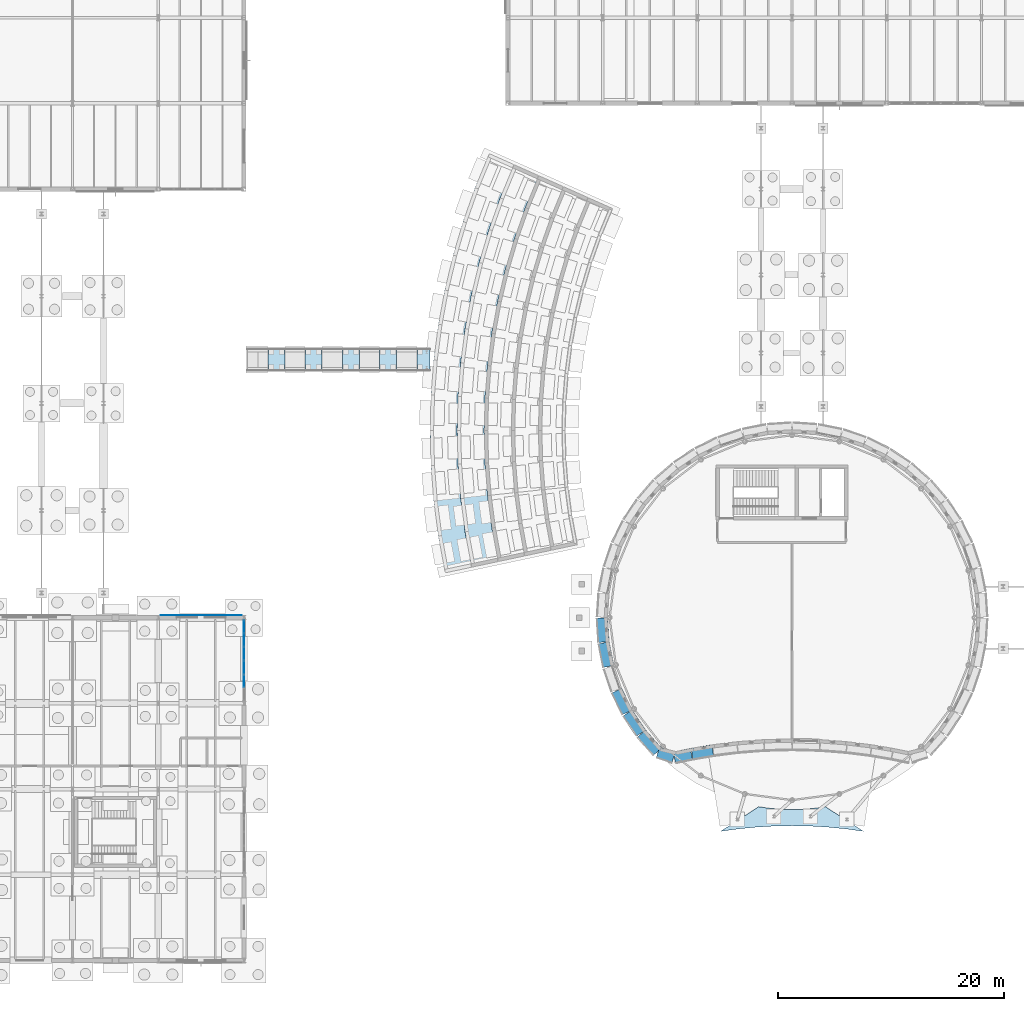
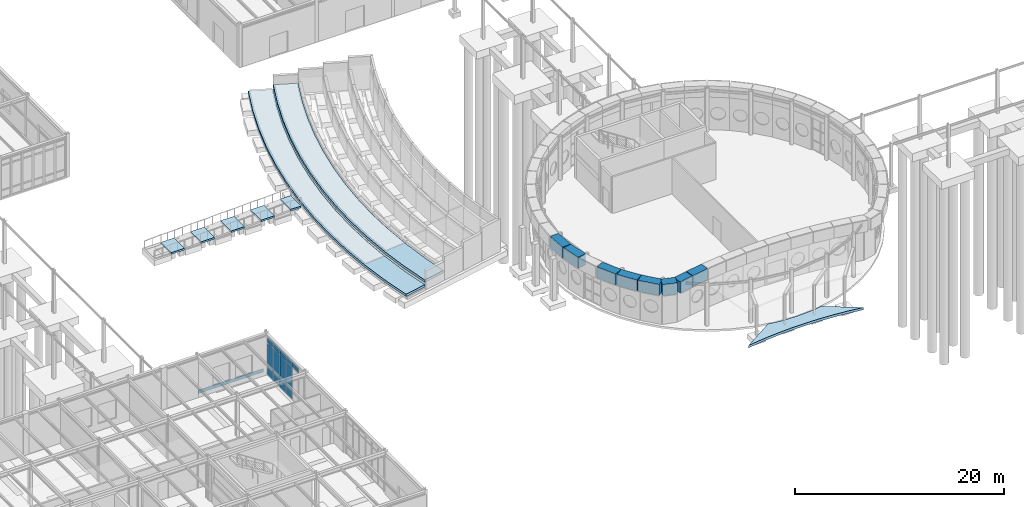
# One storey, part 73 of 109: 22 plates, 8 slabs, 1 element without a shape of its own.
"""IFC4 building model written with IfcOpenShell, lengths in metres."""

from ifc_helpers import new_model, si_unit, direction, frame, origin, origin_2d, place, context, subcontext, project, spatial, polyline, rectangle, outline, extrude, material, layer, layer_set, type_object, element, aggregate, save


model = new_model("IFC4")

# Units and contexts
model_context = context("Model", 3, precision=1e-05, world=origin(), true_north=direction((0.0, 1.0)))
body_context = subcontext(model_context, "Body", "Model", "MODEL_VIEW")
ifc_project = project(units=[si_unit("LENGTHUNIT", "METRE"), si_unit("AREAUNIT", "SQUARE_METRE"), si_unit("VOLUMEUNIT", "CUBIC_METRE"), si_unit("PLANEANGLEUNIT", "RADIAN"), si_unit("MASSUNIT", "GRAM", prefix="KILO")], contexts=[model_context])

# Site, building, storey
site_placement = place(None, origin())
site = spatial("IfcSite", under=ifc_project, at=site_placement, CompositionType="ELEMENT")
building_placement = place(site_placement, origin())
building = spatial("IfcBuilding", under=site, at=building_placement, Name="Montecoro Central Library", CompositionType="ELEMENT")
storey_placement = place(building_placement, origin())
storey = spatial("IfcBuildingStorey", under=building, at=storey_placement, Name="L00", CompositionType="ELEMENT", Elevation=0.0)

# Curtain wall, plates
ifc_material_1 = material(Name="Bronze-anodised aluminium and low-E glazing", Category="aluminium")
ifc_layer_1 = layer(ifc_material_1, 0.159912109375)
ifc_layer_set_1 = layer_set([ifc_layer_1], Name="Bronze-anodised aluminium and low-E glazing")
curtain_wall_type = type_object("IfcCurtainWallType", Name="CWT-027", PredefinedType="NOTDEFINED", material=ifc_layer_set_1)
curtain_wall_placement = place(storey_placement, origin())
curtain_wall = element("IfcCurtainWall", 1, at=curtain_wall_placement, inside=storey, type_object=curtain_wall_type, Name="V3-L00-CW-E3", PredefinedType="NOTDEFINED")
ifc_material_2 = material(Name="Laminated low-E double glazing", Category="glass")
ifc_layer_2 = layer(ifc_material_2, 0.0380859375)
ifc_layer_set_2 = layer_set([ifc_layer_2], Name="Laminated low-E double glazing")
plate_type_1 = type_object("IfcPlateType", Name="CWP-GLZ-04", PredefinedType="CURTAIN_PANEL", material=ifc_layer_set_2)
plate_1_placement = place(storey_placement, frame((43.0, 29.7890625, 3.8349609375), z_axis=(0.0, 0.0, 1.0), x_axis=(0.0, 1.0, 0.0)))
plate_1 = element("IfcPlate", 2, at=plate_1_placement, type_object=plate_type_1, Name="CW-027 panel 2.3", PredefinedType="CURTAIN_PANEL", context=body_context, shape_type="SweptSolid", body=[
    extrude(rectangle(XDim=1.137451171875, YDim=0.0380859375, at=origin_2d()), origin(), (0.0, 0.0, 1.0), 0.594970703125),
])
plate_2_placement = place(storey_placement, frame((43.0, 30.996337890625, 0.070068359375), z_axis=(0.0, 0.0, 1.0), x_axis=(0.0, 1.0, 0.0)))
plate_2 = element("IfcPlate", 3, at=plate_2_placement, type_object=plate_type_1, Name="CW-027 panel 3.1", PredefinedType="CURTAIN_PANEL", context=body_context, shape_type="SweptSolid", body=[
    extrude(rectangle(XDim=1.137451171875, YDim=0.0380859375, at=origin_2d()), origin(), (0.0, 0.0, 1.0), 0.794921875),
])
plate_3_placement = place(storey_placement, frame((43.0, 30.996337890625, 0.93505859375), z_axis=(0.0, 0.0, 1.0), x_axis=(0.0, 1.0, 0.0)))
plate_3 = element("IfcPlate", 4, at=plate_3_placement, type_object=plate_type_1, Name="CW-027 panel 3.2", PredefinedType="CURTAIN_PANEL", context=body_context, shape_type="SweptSolid", body=[
    extrude(rectangle(XDim=1.137451171875, YDim=0.0380859375, at=origin_2d()), origin(), (0.0, 0.0, 1.0), 2.830078125),
])
plate_4_placement = place(storey_placement, frame((43.0, 30.996337890625, 3.8349609375), z_axis=(0.0, 0.0, 1.0), x_axis=(0.0, 1.0, 0.0)))
plate_4 = element("IfcPlate", 5, at=plate_4_placement, type_object=plate_type_1, Name="CW-027 panel 3.3", PredefinedType="CURTAIN_PANEL", context=body_context, shape_type="SweptSolid", body=[
    extrude(rectangle(XDim=1.137451171875, YDim=0.0380859375, at=origin_2d()), origin(), (0.0, 0.0, 1.0), 0.594970703125),
])
plate_5_placement = place(storey_placement, frame((43.0, 32.20361328125, 0.070068359375), z_axis=(0.0, 0.0, 1.0), x_axis=(0.0, 1.0, 0.0)))
plate_5 = element("IfcPlate", 6, at=plate_5_placement, type_object=plate_type_1, Name="CW-027 panel 4.1", PredefinedType="CURTAIN_PANEL", context=body_context, shape_type="SweptSolid", body=[
    extrude(rectangle(XDim=1.137451171875, YDim=0.0380859375, at=origin_2d()), origin(), (0.0, 0.0, 1.0), 0.794921875),
])
plate_6_placement = place(storey_placement, frame((43.0, 32.20361328125, 0.93505859375), z_axis=(0.0, 0.0, 1.0), x_axis=(0.0, 1.0, 0.0)))
plate_6 = element("IfcPlate", 7, at=plate_6_placement, type_object=plate_type_1, Name="CW-027 panel 4.2", PredefinedType="CURTAIN_PANEL", context=body_context, shape_type="SweptSolid", body=[
    extrude(rectangle(XDim=1.137451171875, YDim=0.0380859375, at=origin_2d()), origin(), (0.0, 0.0, 1.0), 2.830078125),
])
plate_7_placement = place(storey_placement, frame((43.0, 32.20361328125, 3.8349609375), z_axis=(0.0, 0.0, 1.0), x_axis=(0.0, 1.0, 0.0)))
plate_7 = element("IfcPlate", 8, at=plate_7_placement, type_object=plate_type_1, Name="CW-027 panel 4.3", PredefinedType="CURTAIN_PANEL", context=body_context, shape_type="SweptSolid", body=[
    extrude(rectangle(XDim=1.137451171875, YDim=0.0380859375, at=origin_2d()), origin(), (0.0, 0.0, 1.0), 0.594970703125),
])
plate_8_placement = place(storey_placement, frame((43.0, 33.410888671875, 0.070068359375), z_axis=(0.0, 0.0, 1.0), x_axis=(0.0, 1.0, 0.0)))
plate_8 = element("IfcPlate", 9, at=plate_8_placement, type_object=plate_type_1, Name="CW-027 panel 5.1", PredefinedType="CURTAIN_PANEL", context=body_context, shape_type="SweptSolid", body=[
    extrude(rectangle(XDim=1.137451171875, YDim=0.0380859375, at=origin_2d()), origin(), (0.0, 0.0, 1.0), 0.794921875),
])
plate_9_placement = place(storey_placement, frame((43.0, 33.410888671875, 0.93505859375), z_axis=(0.0, 0.0, 1.0), x_axis=(0.0, 1.0, 0.0)))
plate_9 = element("IfcPlate", 10, at=plate_9_placement, type_object=plate_type_1, Name="CW-027 panel 5.2", PredefinedType="CURTAIN_PANEL", context=body_context, shape_type="SweptSolid", body=[
    extrude(rectangle(XDim=1.137451171875, YDim=0.0380859375, at=origin_2d()), origin(), (0.0, 0.0, 1.0), 2.830078125),
])
plate_10_placement = place(storey_placement, frame((43.0, 33.410888671875, 3.8349609375), z_axis=(0.0, 0.0, 1.0), x_axis=(0.0, 1.0, 0.0)))
plate_10 = element("IfcPlate", 11, at=plate_10_placement, type_object=plate_type_1, Name="CW-027 panel 5.3", PredefinedType="CURTAIN_PANEL", context=body_context, shape_type="SweptSolid", body=[
    extrude(rectangle(XDim=1.137451171875, YDim=0.0380859375, at=origin_2d()), origin(), (0.0, 0.0, 1.0), 0.594970703125),
])
plate_11_placement = place(storey_placement, frame((43.0, 34.600830078125, 0.070068359375), z_axis=(0.0, 0.0, 1.0), x_axis=(0.0, 1.0, 0.0)))
plate_11 = element("IfcPlate", 12, at=plate_11_placement, type_object=plate_type_1, Name="CW-027 panel 6.1", PredefinedType="CURTAIN_PANEL", context=body_context, shape_type="SweptSolid", body=[
    extrude(rectangle(XDim=1.102294921875, YDim=0.0380859375, at=origin_2d()), origin(), (0.0, 0.0, 1.0), 0.794921875),
])
plate_12_placement = place(storey_placement, frame((43.0, 34.600830078125, 0.93505859375), z_axis=(0.0, 0.0, 1.0), x_axis=(0.0, 1.0, 0.0)))
plate_12 = element("IfcPlate", 13, at=plate_12_placement, type_object=plate_type_1, Name="CW-027 panel 6.2", PredefinedType="CURTAIN_PANEL", context=body_context, shape_type="SweptSolid", body=[
    extrude(rectangle(XDim=1.102294921875, YDim=0.0380859375, at=origin_2d()), origin(), (0.0, 0.0, 1.0), 2.830078125),
])
plate_13_placement = place(storey_placement, frame((43.0, 34.600830078125, 3.8349609375), z_axis=(0.0, 0.0, 1.0), x_axis=(0.0, 1.0, 0.0)))
plate_13 = element("IfcPlate", 14, at=plate_13_placement, type_object=plate_type_1, Name="CW-027 panel 6.3", PredefinedType="CURTAIN_PANEL", context=body_context, shape_type="SweptSolid", body=[
    extrude(rectangle(XDim=1.102294921875, YDim=0.0380859375, at=origin_2d()), origin(), (0.0, 0.0, 1.0), 0.594970703125),
])
aggregate(curtain_wall, [plate_1, plate_2, plate_3, plate_4, plate_5, plate_6, plate_7, plate_8, plate_9, plate_10, plate_11, plate_12, plate_13])

# Plates
ifc_material_3 = material(Name="Architectural bronze spandrel plate", Category="aluminium")
ifc_layer_3 = layer(ifc_material_3, 0.02197265625)
ifc_layer_set_3 = layer_set([ifc_layer_3], Name="Architectural bronze spandrel plate")
plate_type_2 = type_object("IfcPlateType", Name="PLT-SPN-01", PredefinedType="SHEET", material=ifc_layer_set_3)
plate_14_placement = place(storey_placement, frame((39.199951171875, 35.603515625, 0.16015625), z_axis=(0.0, 0.0, 1.0), x_axis=(-1.0, 0.0, 0.0)))
element("IfcPlate", 15, at=plate_14_placement, inside=storey, type_object=plate_type_2, Name="V3-L00-SPN-N4", PredefinedType="SHEET", context=body_context, shape_type="SweptSolid", body=[
    extrude(rectangle(XDim=7.18994140625, YDim=0.02197265625, at=origin_2d()), origin(), (0.0, 0.0, 1.0), 0.39990234375),
])
ifc_material_4 = material(Name="Bright white Roman travertine architrave stone", Category="masonry")
ifc_layer_4 = layer(ifc_material_4, 0.949951171875)
ifc_layer_set_4 = layer_set([ifc_layer_4], Name="Bright white Roman travertine architrave stone")
plate_type_3 = type_object("IfcPlateType", Name="PLT-SPN-07", PredefinedType="SHEET", material=ifc_layer_set_4)
for number, where, z_axis, x_axis, name in (
    (16, (74.83203125, 34.301025390625, 3.7998046875), (0.0, 0.0, 1.0), (0.06540312923, -0.997858923239, 0.0), "White Travertine Curved Entrance Architrave Band"),
    (17, (75.118896484375, 32.12109375, 3.7998046875), (0.0, 0.0, 1.0), (0.195090322016, -0.980785280403, 0.0), "White Travertine Curved Entrance Architrave Band"),
    (18, (76.529052734375, 27.968017578125, 3.7998046875), (0.0, 0.0, 1.0), (0.44213214966, -0.896949921811, 0.0), "White Travertine Curved Entrance Architrave Band"),
    (19, (77.6279296875, 26.06396484375, 3.7998046875), (0.0, 0.0, 1.0), (0.55557023302, -0.831469612303, 0.0), "White Travertine Curved Entrance Architrave Band"),
):
    element("IfcPlate", number, at=place(storey_placement, frame(where, z_axis=z_axis, x_axis=x_axis)), inside=storey, type_object=plate_type_3, Name=name, PredefinedType="SHEET", context=body_context, shape_type="SweptSolid", body=[
        extrude(rectangle(XDim=2.14306640625, YDim=0.949951171875, at=origin_2d()), origin(), (0.0, 0.0, 1.0), 1.300048828125),
    ])
plate_15_placement = place(storey_placement, frame((78.966064453125, 24.320068359375, 3.7998046875), z_axis=(0.0, 0.0, 1.0), x_axis=(0.659214584257, -0.751954873581, 0.0)))
element("IfcPlate", 20, at=plate_15_placement, inside=storey, type_object=plate_type_3, Name="White Travertine Curved Entrance Architrave Band", PredefinedType="SHEET", context=body_context, shape_type="SweptSolid", body=[
    extrude(rectangle(XDim=2.14208984375, YDim=0.949951171875, at=origin_2d()), origin(), (0.0, 0.0, 1.0), 1.300048828125),
])
plate_16_placement = place(storey_placement, frame((80.409912109375, 23.25390625, 3.7998046875), z_axis=(0.0, 0.0, 1.0), x_axis=(0.949260941439, -0.314489530921, 0.0)))
element("IfcPlate", 21, at=plate_16_placement, inside=storey, type_object=plate_type_3, Name="White Travertine Curved Entrance Architrave Band", PredefinedType="SHEET", context=body_context, shape_type="SweptSolid", body=[
    extrude(rectangle(XDim=1.4541015625, YDim=0.949951171875, at=origin_2d()), origin(), (0.0, 0.0, 1.0), 1.300048828125),
])
plate_17_placement = place(storey_placement, frame((81.9150390625, 23.178955078125, 3.7998046875), z_axis=(0.0, 0.0, 1.0), x_axis=(0.979151964846, 0.203129096238, 0.0)))
element("IfcPlate", 22, at=plate_17_placement, inside=storey, type_object=plate_type_3, Name="White Travertine Curved Entrance Architrave Band", PredefinedType="SHEET", context=body_context, shape_type="SweptSolid", body=[
    extrude(rectangle(XDim=1.5439453125, YDim=0.949951171875, at=origin_2d()), origin(), (0.0, 0.0, 1.0), 1.300048828125),
])
plate_18_placement = place(storey_placement, frame((83.64404296875, 23.501953125, 3.7998046875), z_axis=(0.0, 0.0, 1.0), x_axis=(0.985937763727, 0.167112914094, 0.0)))
element("IfcPlate", 23, at=plate_18_placement, inside=storey, type_object=plate_type_3, Name="White Travertine Curved Entrance Architrave Band", PredefinedType="SHEET", context=body_context, shape_type="SweptSolid", body=[
    extrude(rectangle(XDim=1.85498046875, YDim=0.949951171875, at=origin_2d()), origin(), (0.0, 0.0, 1.0), 1.300048828125),
])

# Slabs
ifc_material_5 = material(Name="Planted garden concrete C32/40", Category="concrete")
ifc_layer_5 = layer(ifc_material_5, 0.280029296875)
ifc_layer_set_5 = layer_set([ifc_layer_5], Name="Planted garden concrete C32/40")
slab_type_1 = type_object("IfcSlabType", Name="SL-BED-280", PredefinedType="BASESLAB", material=ifc_layer_set_5)
slab_1_placement = place(storey_placement, frame((0.0, 0.0, 0.260009765625)))
element("IfcSlab", 24, at=slab_1_placement, inside=storey, type_object=slab_type_1, Name="Stepped Planted Terrace Bed 1", PredefinedType="BASESLAB", context=body_context, shape_type="SweptSolid", body=[
    extrude(outline(polyline([(66.8798828125, 75.427978515625), (65.72607421875, 72.64208984375), (64.718994140625, 69.799072265625), (63.863037109375, 66.907958984375), (63.158935546875, 63.97607421875), (62.60888671875, 61.010986328125), (62.216064453125, 58.02099609375), (61.97900390625, 55.014892578125), (61.89990234375, 52.0), (61.97900390625, 48.985107421875), (62.216064453125, 45.97900390625), (62.60888671875, 42.989013671875), (63.158935546875, 40.02392578125), (60.81103515625, 39.52490234375), (60.239013671875, 42.614013671875), (59.8291015625, 45.72802734375), (59.58203125, 48.860107421875), (59.5, 52.0), (59.58203125, 55.139892578125), (59.8291015625, 58.27197265625), (60.239013671875, 61.385986328125), (60.81103515625, 64.47509765625), (61.5439453125, 67.529052734375), (62.43701171875, 70.541015625), (63.485107421875, 73.501953125), (64.68701171875, 76.404052734375), (66.8798828125, 75.427978515625)])), origin(), (0.0, 0.0, 1.0), 0.280029296875),
])
slab_2_placement = place(storey_placement, frame((0.0, 0.0, -0.280029296875)))
element("IfcSlab", 25, at=slab_2_placement, inside=storey, type_object=slab_type_1, Name="Boulevard Forecourt Entrance Apron", PredefinedType="BASESLAB", context=body_context, shape_type="SweptSolid", body=[
    extrude(outline(polyline([(97.927978515625, 16.451904296875), (96.35400390625, 16.669921875), (94.77392578125, 16.824951171875), (93.18798828125, 16.9189453125), (91.60009765625, 16.949951171875), (90.011962890625, 16.9189453125), (88.426025390625, 16.824951171875), (86.845947265625, 16.669921875), (85.27197265625, 16.451904296875), (88.64501953125, 18.638916015625), (89.3779296875, 18.52587890625), (90.116943359375, 18.445068359375), (90.85791015625, 18.39599609375), (91.60009765625, 18.3798828125), (92.342041015625, 18.39599609375), (93.0830078125, 18.445068359375), (93.822021484375, 18.52587890625), (94.554931640625, 18.638916015625), (97.927978515625, 16.451904296875)])), origin(), (0.0, 0.0, 1.0), 0.280029296875),
])
ifc_layer_6 = layer(ifc_material_5, 0.300048828125)
ifc_layer_set_6 = layer_set([ifc_layer_6], Name="Planted garden concrete C32/40")
slab_type_2 = type_object("IfcSlabType", Name="SL-BED-300", PredefinedType="BASESLAB", material=ifc_layer_set_6)
slab_3_placement = place(storey_placement, frame((0.0, 0.0, 0.780029296875)))
element("IfcSlab", 26, at=slab_3_placement, inside=storey, type_object=slab_type_2, Name="Stepped Planted Terrace Bed 2", PredefinedType="BASESLAB", context=body_context, shape_type="SweptSolid", body=[
    extrude(outline(polyline([(69.072021484375, 74.451904296875), (67.966064453125, 71.781982421875), (67.001953125, 69.05810546875), (66.180908203125, 66.287109375), (65.506103515625, 63.47705078125), (64.97998046875, 60.635009765625), (64.60205078125, 57.77001953125), (64.3759765625, 54.888916015625), (64.300048828125, 52.0), (64.3759765625, 49.111083984375), (64.60205078125, 46.22998046875), (64.97998046875, 43.364990234375), (65.506103515625, 40.52294921875), (63.158935546875, 40.02392578125), (62.60888671875, 42.989013671875), (62.216064453125, 45.97900390625), (61.97900390625, 48.985107421875), (61.89990234375, 52.0), (61.97900390625, 55.014892578125), (62.216064453125, 58.02099609375), (62.60888671875, 61.010986328125), (63.158935546875, 63.97607421875), (63.863037109375, 66.907958984375), (64.718994140625, 69.799072265625), (65.72607421875, 72.64208984375), (66.8798828125, 75.427978515625), (69.072021484375, 74.451904296875)])), origin(), (0.0, 0.0, 1.0), 0.300048828125),
])
ifc_material_6 = material(Name="Concrete C35/45", Category="concrete")
ifc_layer_7 = layer(ifc_material_6, 0.199951171875)
ifc_layer_set_7 = layer_set([ifc_layer_7], Name="Concrete C35/45")
slab_type_3 = type_object("IfcSlabType", Name="SL-LND-200", PredefinedType="LANDING", material=ifc_layer_set_7)
slab_4_placement = place(storey_placement, frame((0.0, 0.0, -0.092041015625)))
element("IfcSlab", 27, at=slab_4_placement, inside=storey, type_object=slab_type_3, Name="V1-RAMP-LD1", PredefinedType="LANDING", context=body_context, shape_type="SweptSolid", body=[
    extrude(outline(polyline([(45.12890625, 57.27197265625), (46.62890625, 57.27197265625), (46.62890625, 59.27197265625), (45.12890625, 59.27197265625), (45.12890625, 57.27197265625)])), origin(), (0.0, 0.0, 1.0), 0.199951171875),
])
slab_5_placement = place(storey_placement, frame((0.0, 0.0, 0.01611328125)))
element("IfcSlab", 28, at=slab_5_placement, inside=storey, type_object=slab_type_3, Name="V1-RAMP-LD2", PredefinedType="LANDING", context=body_context, shape_type="SweptSolid", body=[
    extrude(outline(polyline([(48.428955078125, 57.27197265625), (49.928955078125, 57.27197265625), (49.928955078125, 59.27197265625), (48.428955078125, 59.27197265625), (48.428955078125, 57.27197265625)])), origin(), (0.0, 0.0, 1.0), 0.199951171875),
])
slab_6_placement = place(storey_placement, frame((0.0, 0.0, 0.1240234375)))
element("IfcSlab", 29, at=slab_6_placement, inside=storey, type_object=slab_type_3, Name="V1-RAMP-LD3", PredefinedType="LANDING", context=body_context, shape_type="SweptSolid", body=[
    extrude(outline(polyline([(51.72900390625, 57.27197265625), (53.22900390625, 57.27197265625), (53.22900390625, 59.27197265625), (51.72900390625, 59.27197265625), (51.72900390625, 57.27197265625)])), origin(), (0.0, 0.0, 1.0), 0.199951171875),
])
slab_7_placement = place(storey_placement, frame((0.0, 0.0, 0.23193359375)))
element("IfcSlab", 30, at=slab_7_placement, inside=storey, type_object=slab_type_3, Name="V1-RAMP-LD4", PredefinedType="LANDING", context=body_context, shape_type="SweptSolid", body=[
    extrude(outline(polyline([(55.029052734375, 57.27197265625), (56.529052734375, 57.27197265625), (56.529052734375, 59.27197265625), (55.029052734375, 59.27197265625), (55.029052734375, 57.27197265625)])), origin(), (0.0, 0.0, 1.0), 0.199951171875),
])
slab_8_placement = place(storey_placement, frame((0.0, 0.0, 0.340087890625)))
element("IfcSlab", 31, at=slab_8_placement, inside=storey, type_object=slab_type_3, Name="V1-RAMP-LD5", PredefinedType="LANDING", context=body_context, shape_type="SweptSolid", body=[
    extrude(outline(polyline([(58.3291015625, 57.27197265625), (59.47900390625, 57.27197265625), (59.47900390625, 59.27197265625), (58.3291015625, 59.27197265625), (58.3291015625, 57.27197265625)])), origin(), (0.0, 0.0, 1.0), 0.199951171875),
])

save(model, "model.ifc")
